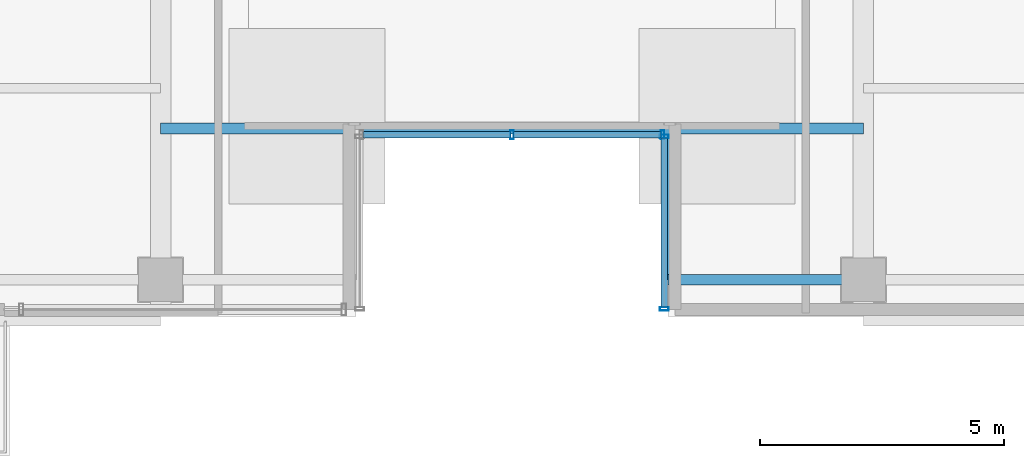
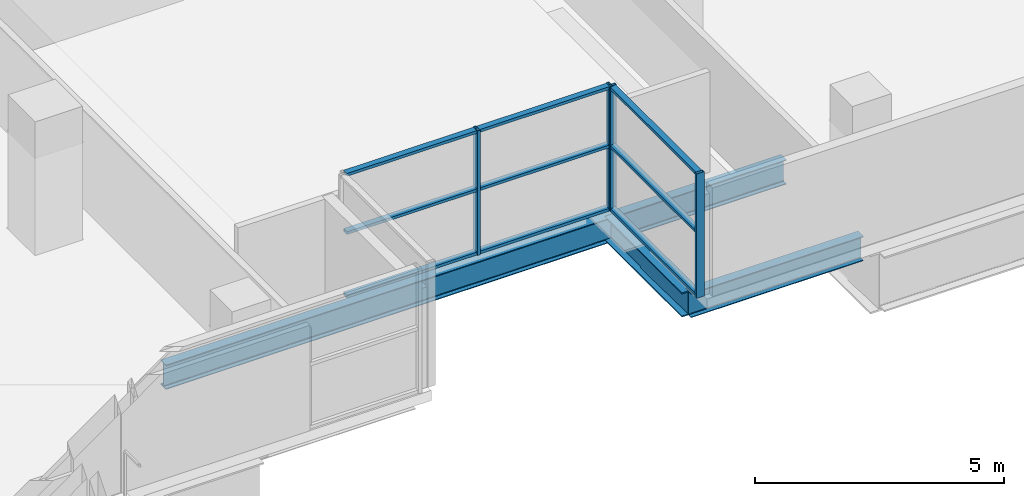
# One storey, part 9 of 32: 13 members, 3 beams, 2 elements without a shape of their own.
"""IFC4 building model written with IfcOpenShell, lengths in metres."""

from ifc_helpers import new_model, si_unit, direction, frame, origin, origin_2d, place, context, subcontext, project, spatial, hollow_rectangle, i_section, extrude, source, transform, mapped, material, layer, layer_set, material_profile, profile_set, type_object, element, aggregate, save


model = new_model("IFC4")

# Units and contexts
model_context = context("Model", 3, precision=1e-05, world=origin(), true_north=direction((0.0, 1.0)))
body_context = subcontext(model_context, "Body", "Model", "MODEL_VIEW")
ifc_project = project(units=[si_unit("LENGTHUNIT", "METRE"), si_unit("AREAUNIT", "SQUARE_METRE"), si_unit("VOLUMEUNIT", "CUBIC_METRE"), si_unit("PLANEANGLEUNIT", "RADIAN"), si_unit("MASSUNIT", "GRAM", prefix="KILO")], contexts=[model_context])

# Site, building, storey
site_placement = place(None, origin())
site = spatial("IfcSite", under=ifc_project, at=site_placement, CompositionType="ELEMENT")
building_placement = place(site_placement, origin())
building = spatial("IfcBuilding", under=site, at=building_placement, Name="Zarnakvel Exchange Tower", CompositionType="ELEMENT")
storey_placement = place(building_placement, frame((0.0, 0.0, 27.39990234375)))
storey = spatial("IfcBuildingStorey", under=building, at=storey_placement, Name="L06", CompositionType="ELEMENT", Elevation=27.39990234375)

# Beams
ifc_material_1 = material(Name="Steel S355", Category="steel")
ifc_material_profile_1 = material_profile(ifc_material_1, i_section(OverallWidth=0.300048828125, OverallDepth=0.60009765625, WebThickness=0.015380859375, FlangeThickness=0.030029296875, FilletRadius=0.027099609375, at=origin_2d()))
ifc_profile_set_1 = profile_set([ifc_material_profile_1], Name="Steel S355")
beam_type_1 = type_object("IfcBeamType", Name="G-04", PredefinedType="BEAM", material=ifc_profile_set_1)
beam_1_placement = place(storey_placement, frame((3.199951171875, -17.449951171875, -0.5498046875), z_axis=(0.0, 1.0, 0.0), x_axis=(-1.0, 0.0, 0.0)))
element("IfcBeam", 1, at=beam_1_placement, inside=storey, type_object=beam_type_1, Name="L06 South Slot East Cheek Beam", PredefinedType="BEAM", context=body_context, shape_type="SweptSolid", body=[
    extrude(i_section(OverallWidth=0.300048828125, OverallDepth=0.60009765625, WebThickness=0.015380859375, FlangeThickness=0.030029296875, FilletRadius=0.027099609375, at=origin_2d()), origin(), (0.0, 0.0, 1.0), 3.099853515625),
])
ifc_material_profile_2 = material_profile(ifc_material_1, i_section(OverallWidth=0.219970703125, OverallDepth=0.60009765625, WebThickness=0.011962890625, FlangeThickness=0.01904296875, FilletRadius=0.02392578125, at=origin_2d()))
ifc_profile_set_2 = profile_set([ifc_material_profile_2], Name="Steel S355")
beam_type_2 = type_object("IfcBeamType", Name="SP-01", PredefinedType="SPANDREL", material=ifc_profile_set_2)
beam_2_placement = place(storey_placement, frame((3.199951171875, -17.449951171875, -0.5498046875), z_axis=(1.0, 0.0, 0.0), x_axis=(0.0, 1.0, 0.0)))
element("IfcBeam", 2, at=beam_2_placement, inside=storey, type_object=beam_type_2, Name="L06 South Slot East Jamb Spandrel", PredefinedType="SPANDREL", context=body_context, shape_type="SweptSolid", body=[
    extrude(i_section(OverallWidth=0.219970703125, OverallDepth=0.60009765625, WebThickness=0.011962890625, FlangeThickness=0.01904296875, FilletRadius=0.02392578125, at=origin_2d()), origin(), (0.0, 0.0, 1.0), 4.0),
])
beam_3_placement = place(storey_placement, frame((-7.199951171875, -14.35009765625, -0.5498046875), z_axis=(1.0, 0.0, 0.0), x_axis=(0.0, 1.0, 0.0)))
element("IfcBeam", 3, at=beam_3_placement, inside=storey, type_object=beam_type_2, Name="L06 South Slot Head Trimmer Girder", PredefinedType="SPANDREL", context=body_context, shape_type="SweptSolid", body=[
    extrude(i_section(OverallWidth=0.219970703125, OverallDepth=0.60009765625, WebThickness=0.011962890625, FlangeThickness=0.01904296875, FilletRadius=0.02392578125, at=origin_2d()), origin(), (0.0, 0.0, 1.0), 14.39990234375),
])

# Curtain wall, members
ifc_material_2 = material(Name="Architectural Bronze Anodised Aluminium", Category="aluminium")
ifc_layer = layer(ifc_material_2, 0.179931640625)
ifc_layer_set = layer_set([ifc_layer], Name="Architectural Bronze Anodised Aluminium")
curtain_wall_type = type_object("IfcCurtainWallType", Name="CW-05", PredefinedType="NOTDEFINED", material=ifc_layer_set)
curtain_wall_1_placement = place(storey_placement, origin())
curtain_wall_1 = element("IfcCurtainWall", 4, at=curtain_wall_1_placement, inside=storey, type_object=curtain_wall_type, Name="L06 Curtain Wall CW-L06-SLB (CW-05)", PredefinedType="NOTDEFINED")
ifc_material_profile_3 = material_profile(ifc_material_2, hollow_rectangle(XDim=0.179931640625, YDim=0.070068359375, WallThickness=0.00390625, at=origin_2d()))
ifc_profile_set_3 = profile_set([ifc_material_profile_3], Name="Architectural Bronze Anodised Aluminium")
member_type_1 = type_object("IfcMemberType", Name="CWM-05", PredefinedType="MULLION", material=ifc_profile_set_3)
shared_shape_1 = source(origin(), body_context, "Body", "SweptSolid", [
    extrude(hollow_rectangle(XDim=0.179931640625, YDim=0.070068359375, WallThickness=0.00390625, at=origin_2d()), origin(), (0.0, 0.0, 1.0), 3.05517578125),
])
member_1_placement = place(storey_placement, frame((0.0, -14.47998046875, 0.0), z_axis=(0.0, 0.0, 1.0), x_axis=(0.0, 1.0, 0.0)))
member_1 = element("IfcMember", 5, at=member_1_placement, type_object=member_type_1, Name="CW-05 mullion 2", PredefinedType="MULLION", context=body_context, shape_type="MappedRepresentation", body=[
    mapped(shared_shape_1, transform((0.0, 0.0, 0.0), x_axis=(1.0, 0.0, 0.0), y_axis=(0.0, 1.0, 0.0), z_axis=(0.0, 0.0, 1.0), scale=1.0)),
])
member_2_placement = place(storey_placement, frame((3.0849609375, -14.47998046875, 0.0), z_axis=(0.0, 0.0, 1.0), x_axis=(0.0, 1.0, 0.0)))
member_2 = element("IfcMember", 6, at=member_2_placement, type_object=member_type_1, Name="CW-05 mullion 3", PredefinedType="MULLION", context=body_context, shape_type="MappedRepresentation", body=[
    mapped(shared_shape_1, transform((0.0, 0.0, 0.0), x_axis=(1.0, 0.0, 0.0), y_axis=(0.0, 1.0, 0.0), z_axis=(0.0, 0.0, 1.0), scale=1.0)),
])

curtain_wall_2_placement = place(storey_placement, origin())
curtain_wall_2 = element("IfcCurtainWall", 7, at=curtain_wall_2_placement, inside=storey, type_object=curtain_wall_type, Name="L06 Curtain Wall CW-L06-SLE (CW-05)", PredefinedType="NOTDEFINED")
member_3_placement = place(storey_placement, frame((3.1201171875, -14.514892578125, 0.0), z_axis=(0.0, 0.0, 1.0), x_axis=(1.0, 0.0, 0.0)))
member_3 = element("IfcMember", 8, at=member_3_placement, type_object=member_type_1, Name="CW-05 mullion 1", PredefinedType="MULLION", context=body_context, shape_type="MappedRepresentation", body=[
    mapped(shared_shape_1, transform((0.0, 0.0, 0.0), x_axis=(1.0, 0.0, 0.0), y_axis=(0.0, 1.0, 0.0), z_axis=(0.0, 0.0, 1.0), scale=1.0)),
])
member_4_placement = place(storey_placement, frame((3.1201171875, -18.044921875, 0.0), z_axis=(0.0, 0.0, 1.0), x_axis=(1.0, 0.0, 0.0)))
member_4 = element("IfcMember", 9, at=member_4_placement, type_object=member_type_1, Name="CW-05 mullion 2", PredefinedType="MULLION", context=body_context, shape_type="MappedRepresentation", body=[
    mapped(shared_shape_1, transform((0.0, 0.0, 0.0), x_axis=(1.0, 0.0, 0.0), y_axis=(0.0, 1.0, 0.0), z_axis=(0.0, 0.0, 1.0), scale=1.0)),
])
ifc_material_profile_4 = material_profile(ifc_material_2, hollow_rectangle(XDim=0.139892578125, YDim=0.070068359375, WallThickness=0.00390625, at=origin_2d()))
ifc_profile_set_4 = profile_set([ifc_material_profile_4], Name="Architectural Bronze Anodised Aluminium")
member_type_2 = type_object("IfcMemberType", Name="CWT-05", PredefinedType="USERDEFINED", material=ifc_profile_set_4)
shared_shape_2 = source(origin(), body_context, "Body", "SweptSolid", [
    extrude(hollow_rectangle(XDim=0.139892578125, YDim=0.070068359375, WallThickness=0.00390625, at=origin_2d()), origin(), (0.0, 0.0, 1.0), 3.4599609375),
])
member_5_placement = place(storey_placement, frame((3.1201171875, -14.550048828125, 0.03515625), z_axis=(0.0, -1.0, 0.0), x_axis=(1.0, 0.0, 0.0)))
member_5 = element("IfcMember", 10, at=member_5_placement, type_object=member_type_2, Name="CW-05 transom 1.1", ObjectType="TRANSOM", PredefinedType="USERDEFINED", context=body_context, shape_type="MappedRepresentation", body=[
    mapped(shared_shape_2, transform((0.0, 0.0, 0.0), x_axis=(1.0, 0.0, 0.0), y_axis=(0.0, 1.0, 0.0), z_axis=(0.0, 0.0, 1.0), scale=1.0)),
])
member_6_placement = place(storey_placement, frame((3.1201171875, -14.550048828125, 1.588623046875), z_axis=(0.0, -1.0, 0.0), x_axis=(1.0, 0.0, 0.0)))
member_6 = element("IfcMember", 11, at=member_6_placement, type_object=member_type_2, Name="CW-05 transom 1.2", ObjectType="TRANSOM", PredefinedType="USERDEFINED", context=body_context, shape_type="MappedRepresentation", body=[
    mapped(shared_shape_2, transform((0.0, 0.0, 0.0), x_axis=(1.0, 0.0, 0.0), y_axis=(0.0, 1.0, 0.0), z_axis=(0.0, 0.0, 1.0), scale=1.0)),
])
member_7_placement = place(storey_placement, frame((3.1201171875, -14.550048828125, 3.02001953125), z_axis=(0.0, -1.0, 0.0), x_axis=(1.0, 0.0, 0.0)))
member_7 = element("IfcMember", 12, at=member_7_placement, type_object=member_type_2, Name="CW-05 transom 1.3", ObjectType="TRANSOM", PredefinedType="USERDEFINED", context=body_context, shape_type="MappedRepresentation", body=[
    mapped(shared_shape_2, transform((0.0, 0.0, 0.0), x_axis=(1.0, 0.0, 0.0), y_axis=(0.0, 1.0, 0.0), z_axis=(0.0, 0.0, 1.0), scale=1.0)),
])
aggregate(curtain_wall_2, [member_3, member_4, member_5, member_6, member_7])

# Member
shared_shape_3 = source(origin(), body_context, "Body", "SweptSolid", [
    extrude(hollow_rectangle(XDim=0.139892578125, YDim=0.070068359375, WallThickness=0.00390625, at=origin_2d()), origin(), (0.0, 0.0, 1.0), 3.01513671875),
])
member_8_placement = place(storey_placement, frame((-3.050048828125, -14.47998046875, 0.03515625), z_axis=(1.0, 0.0, 0.0), x_axis=(0.0, 1.0, 0.0)))
member_8 = element("IfcMember", 13, at=member_8_placement, type_object=member_type_2, Name="CW-05 transom 1.1", ObjectType="TRANSOM", PredefinedType="USERDEFINED", context=body_context, shape_type="MappedRepresentation", body=[
    mapped(shared_shape_3, transform((0.0, 0.0, 0.0), x_axis=(1.0, 0.0, 0.0), y_axis=(0.0, 1.0, 0.0), z_axis=(0.0, 0.0, 1.0), scale=1.0)),
])

member_9_placement = place(storey_placement, frame((-3.050048828125, -14.47998046875, 1.588623046875), z_axis=(1.0, 0.0, 0.0), x_axis=(0.0, 1.0, 0.0)))
member_9 = element("IfcMember", 14, at=member_9_placement, type_object=member_type_2, Name="CW-05 transom 1.2", ObjectType="TRANSOM", PredefinedType="USERDEFINED", context=body_context, shape_type="MappedRepresentation", body=[
    mapped(shared_shape_3, transform((0.0, 0.0, 0.0), x_axis=(1.0, 0.0, 0.0), y_axis=(0.0, 1.0, 0.0), z_axis=(0.0, 0.0, 1.0), scale=1.0)),
])

member_10_placement = place(storey_placement, frame((-3.050048828125, -14.47998046875, 3.02001953125), z_axis=(1.0, 0.0, 0.0), x_axis=(0.0, 1.0, 0.0)))
member_10 = element("IfcMember", 15, at=member_10_placement, type_object=member_type_2, Name="CW-05 transom 1.3", ObjectType="TRANSOM", PredefinedType="USERDEFINED", context=body_context, shape_type="MappedRepresentation", body=[
    mapped(shared_shape_3, transform((0.0, 0.0, 0.0), x_axis=(1.0, 0.0, 0.0), y_axis=(0.0, 1.0, 0.0), z_axis=(0.0, 0.0, 1.0), scale=1.0)),
])

member_11_placement = place(storey_placement, frame((0.034912109375, -14.47998046875, 0.03515625), z_axis=(1.0, 0.0, 0.0), x_axis=(0.0, 1.0, 0.0)))
member_11 = element("IfcMember", 16, at=member_11_placement, type_object=member_type_2, Name="CW-05 transom 2.1", ObjectType="TRANSOM", PredefinedType="USERDEFINED", context=body_context, shape_type="MappedRepresentation", body=[
    mapped(shared_shape_3, transform((0.0, 0.0, 0.0), x_axis=(1.0, 0.0, 0.0), y_axis=(0.0, 1.0, 0.0), z_axis=(0.0, 0.0, 1.0), scale=1.0)),
])

member_12_placement = place(storey_placement, frame((0.034912109375, -14.47998046875, 1.588623046875), z_axis=(1.0, 0.0, 0.0), x_axis=(0.0, 1.0, 0.0)))
member_12 = element("IfcMember", 17, at=member_12_placement, type_object=member_type_2, Name="CW-05 transom 2.2", ObjectType="TRANSOM", PredefinedType="USERDEFINED", context=body_context, shape_type="MappedRepresentation", body=[
    mapped(shared_shape_3, transform((0.0, 0.0, 0.0), x_axis=(1.0, 0.0, 0.0), y_axis=(0.0, 1.0, 0.0), z_axis=(0.0, 0.0, 1.0), scale=1.0)),
])

member_13_placement = place(storey_placement, frame((0.034912109375, -14.47998046875, 3.02001953125), z_axis=(1.0, 0.0, 0.0), x_axis=(0.0, 1.0, 0.0)))
member_13 = element("IfcMember", 18, at=member_13_placement, type_object=member_type_2, Name="CW-05 transom 2.3", ObjectType="TRANSOM", PredefinedType="USERDEFINED", context=body_context, shape_type="MappedRepresentation", body=[
    mapped(shared_shape_3, transform((0.0, 0.0, 0.0), x_axis=(1.0, 0.0, 0.0), y_axis=(0.0, 1.0, 0.0), z_axis=(0.0, 0.0, 1.0), scale=1.0)),
])

aggregate(curtain_wall_1, [member_1, member_2, member_8, member_9, member_10, member_11, member_12, member_13])

save(model, "model.ifc")
